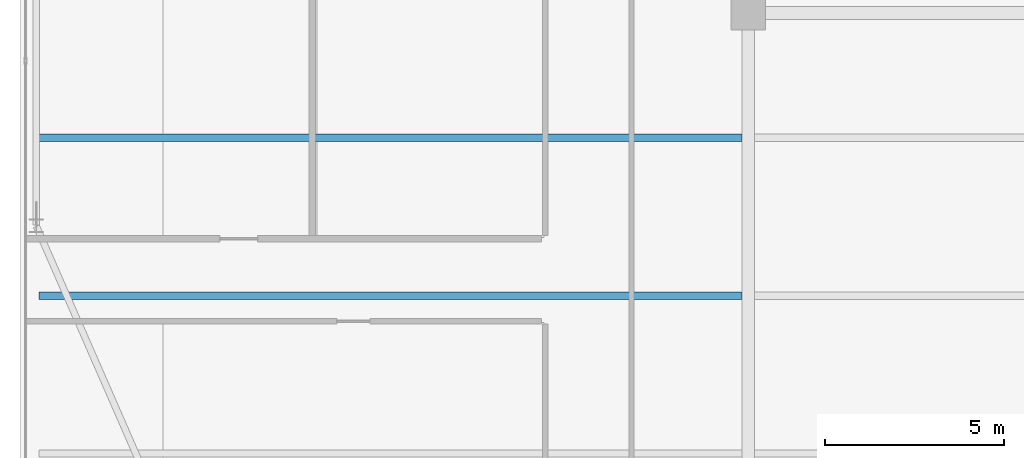
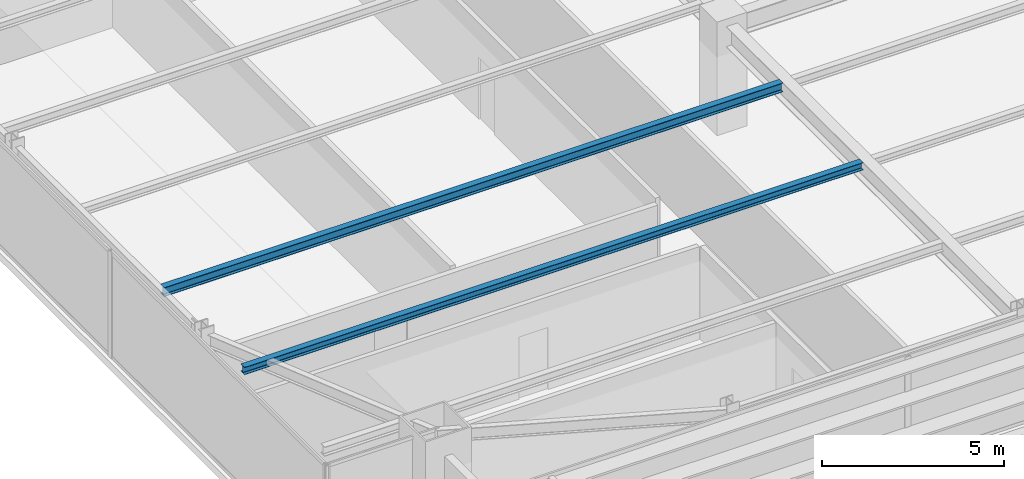
# One storey, part 7 of 32: 2 beams.
"""IFC4 building model written with IfcOpenShell, lengths in metres."""

from ifc_helpers import new_model, si_unit, direction, frame, origin, origin_2d, place, context, subcontext, project, spatial, i_section, extrude, source, transform, mapped, material, material_profile, profile_set, type_object, type_shapes, element, save


model = new_model("IFC4")

# Units and contexts
model_context = context("Model", 3, precision=1e-05, world=origin(), true_north=direction((0.0, 1.0)))
body_context = subcontext(model_context, "Body", "Model", "MODEL_VIEW")
ifc_project = project(units=[si_unit("LENGTHUNIT", "METRE"), si_unit("AREAUNIT", "SQUARE_METRE"), si_unit("VOLUMEUNIT", "CUBIC_METRE"), si_unit("PLANEANGLEUNIT", "RADIAN"), si_unit("MASSUNIT", "GRAM", prefix="KILO")], contexts=[model_context])

# Site, building, storey
site_placement = place(None, origin())
site = spatial("IfcSite", under=ifc_project, at=site_placement, CompositionType="ELEMENT")
building_placement = place(site_placement, origin())
building = spatial("IfcBuilding", under=site, at=building_placement, Name="Varnel Quay Broadcast Tower", CompositionType="ELEMENT")
storey_placement = place(building_placement, frame((0.0, 0.0, 90.800048828125)))
storey = spatial("IfcBuildingStorey", under=building, at=storey_placement, Name="L21", CompositionType="ELEMENT", Elevation=90.800048828125)

# Beams
ifc_material = material(Name="Structural Steel CSA G40.21 350W", Category="steel")
ifc_material_profile_1 = material_profile(ifc_material, i_section(OverallWidth=0.202880859375, OverallDepth=0.302978515625, WebThickness=0.007568359375, FlangeThickness=0.01318359375, FilletRadius=0.011962890625, at=origin_2d()), Name="W310X60")
ifc_profile_set_1 = profile_set([ifc_material_profile_1], Name="Structural Steel CSA G40.21 350W")
beam_type_1 = type_object("IfcBeamType", Name="Beam_W310X60", PredefinedType="JOIST", material=ifc_profile_set_1)
shared_shape_1 = source(origin(), body_context, "Body", "SweptSolid", [
    extrude(i_section(OverallWidth=0.202880859375, OverallDepth=0.302978515625, WebThickness=0.007568359375, FlangeThickness=0.01318359375, FilletRadius=0.011962890625, at=origin_2d()), origin(), (0.0, 0.0, 1.0), 19.592041015625),
])
type_shapes(beam_type_1, [shared_shape_1])
beam_1_placement = place(storey_placement, frame((5.035400390625, 17.449951171875, 3.3984375), z_axis=(1.0, 0.0, 0.0), x_axis=(0.0, 1.0, 0.0)))
element("IfcBeam", 1, at=beam_1_placement, inside=storey, type_object=beam_type_1, Name="L21 West Floor Joist 3", PredefinedType="JOIST", context=body_context, shape_type="MappedRepresentation", body=[
    mapped(shared_shape_1, transform((0.0, 0.0, 0.0), x_axis=(1.0, 0.0, 0.0), y_axis=(0.0, 1.0, 0.0), z_axis=(0.0, 0.0, 1.0), scale=1.0)),
])
ifc_material_profile_2 = material_profile(ifc_material, i_section(OverallWidth=0.201904296875, OverallDepth=0.2470703125, WebThickness=0.00732421875, FlangeThickness=0.010986328125, FilletRadius=0.010986328125, at=origin_2d()), Name="W250X49")
ifc_profile_set_2 = profile_set([ifc_material_profile_2], Name="Structural Steel CSA G40.21 350W")
beam_type_2 = type_object("IfcBeamType", Name="Beam_W250X49", PredefinedType="JOIST", material=ifc_profile_set_2)
shared_shape_2 = source(origin(), body_context, "Body", "SweptSolid", [
    extrude(i_section(OverallWidth=0.201904296875, OverallDepth=0.2470703125, WebThickness=0.00732421875, FlangeThickness=0.010986328125, FilletRadius=0.010986328125, at=origin_2d()), origin(), (0.0, 0.0, 1.0), 19.592041015625),
])
type_shapes(beam_type_2, [shared_shape_2])
beam_2_placement = place(storey_placement, frame((5.035400390625, 13.050048828125, 3.426513671875), z_axis=(1.0, 0.0, 0.0), x_axis=(0.0, 1.0, 0.0)))
element("IfcBeam", 2, at=beam_2_placement, inside=storey, type_object=beam_type_2, Name="L21 West Floor Joist 2", PredefinedType="JOIST", context=body_context, shape_type="MappedRepresentation", body=[
    mapped(shared_shape_2, transform((0.0, 0.0, 0.0), x_axis=(1.0, 0.0, 0.0), y_axis=(0.0, 1.0, 0.0), z_axis=(0.0, 0.0, 1.0), scale=1.0)),
])

save(model, "model.ifc")
